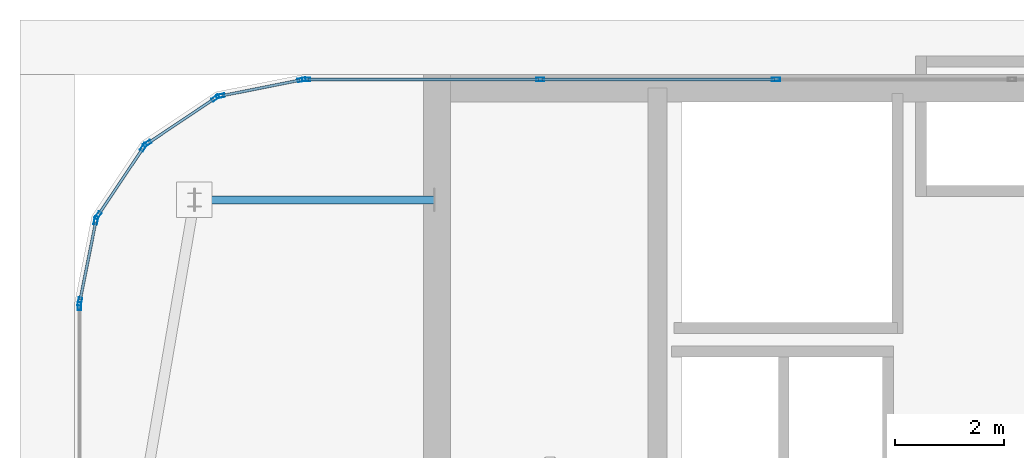
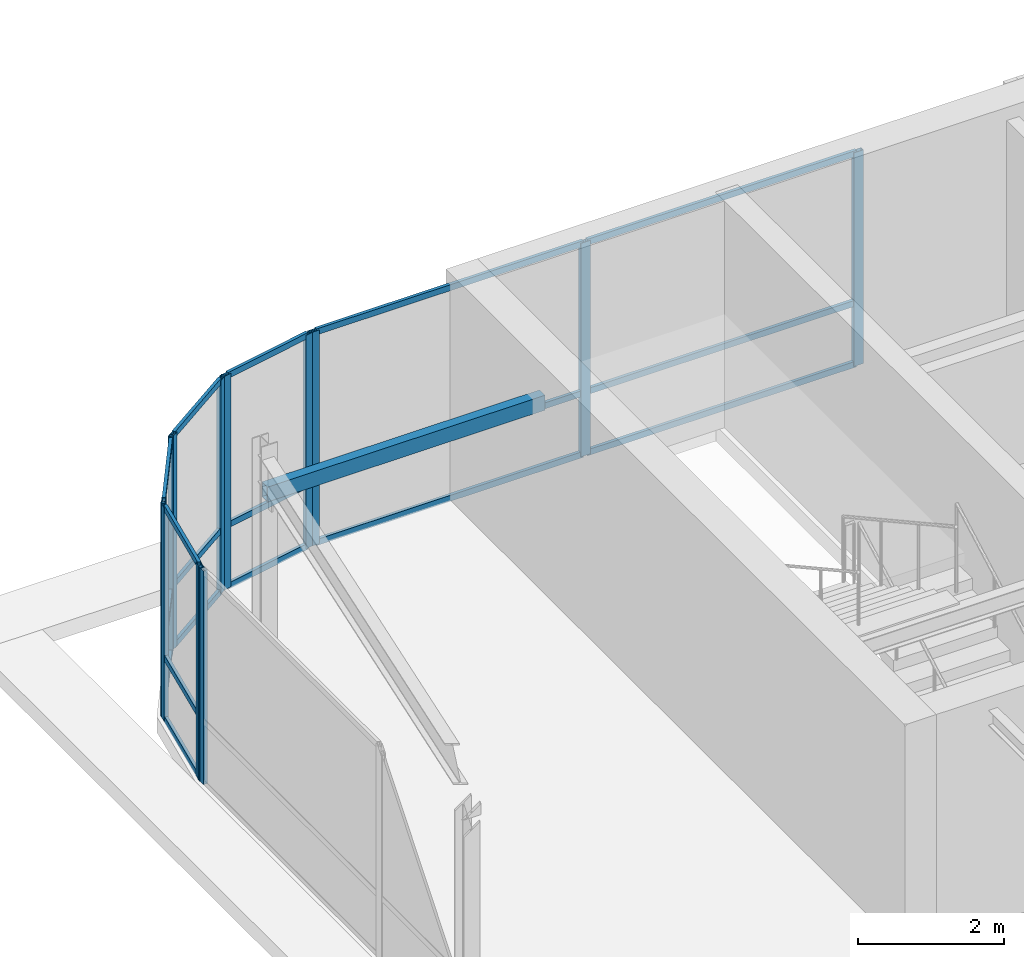
# One storey, part 24 of 35: 31 members, 6 elements without a shape of their own.
"""IFC4 building model written with IfcOpenShell, lengths in metres."""

from ifc_helpers import new_model, si_unit, direction, frame, origin, origin_2d, place, context, subcontext, project, spatial, hollow_rectangle, extrude, source, transform, mapped, material, layer, layer_set, material_profile, profile_set, type_object, type_shapes, element, aggregate, save


model = new_model("IFC4")

# Units and contexts
model_context = context("Model", 3, precision=1e-05, world=origin(), true_north=direction((0.0, 1.0)))
body_context = subcontext(model_context, "Body", "Model", "MODEL_VIEW")
ifc_project = project(units=[si_unit("LENGTHUNIT", "METRE"), si_unit("AREAUNIT", "SQUARE_METRE"), si_unit("VOLUMEUNIT", "CUBIC_METRE"), si_unit("PLANEANGLEUNIT", "RADIAN"), si_unit("MASSUNIT", "GRAM", prefix="KILO")], contexts=[model_context])

# Site, building, storey
site_placement = place(None, origin())
site = spatial("IfcSite", under=ifc_project, at=site_placement, CompositionType="ELEMENT")
building_placement = place(site_placement, origin())
building = spatial("IfcBuilding", under=site, at=building_placement, Name="Tolvann Quenvar Hotel", CompositionType="ELEMENT")
storey_placement = place(building_placement, frame((0.0, 0.0, 290.949951171875)))
storey = spatial("IfcBuildingStorey", under=building, at=storey_placement, Name="L77", CompositionType="ELEMENT", Elevation=290.949951171875)

# Member
ifc_material_1 = material(Name="Steel Grade 450 (C450L0)", Category="steel")
ifc_material_profile_1 = material_profile(ifc_material_1, hollow_rectangle(XDim=0.14990234375, YDim=0.25, WallThickness=0.009033203125, at=origin_2d()), Name="250x150x9RHS")
ifc_profile_set_1 = profile_set([ifc_material_profile_1], Name="Steel Grade 450 (C450L0)")
member_type_1 = type_object("IfcMemberType", Name="MEM_CROWN_250RHS", PredefinedType="USERDEFINED", material=ifc_profile_set_1)
shared_shape_1 = source(origin(), body_context, "Body", "SweptSolid", [
    extrude(hollow_rectangle(XDim=0.14990234375, YDim=0.25, WallThickness=0.009033203125, at=origin_2d()), origin(), (0.0, 0.0, 1.0), 4.39990234375),
])
type_shapes(member_type_1, [shared_shape_1])
member_1_placement = place(storey_placement, frame((5.800048828125, 41.89990234375, 2.929931640625), z_axis=(1.0, 0.0, 0.0), x_axis=(0.0, 1.0, 0.0)))
element("IfcMember", 1, at=member_1_placement, inside=storey, type_object=member_type_1, Name="Crown Frame Ring Member (L77-4)", ObjectType="CROWN FRAME", PredefinedType="USERDEFINED", context=body_context, shape_type="MappedRepresentation", body=[
    mapped(shared_shape_1, transform((0.0, 0.0, 0.0), x_axis=(1.0, 0.0, 0.0), y_axis=(0.0, 1.0, 0.0), z_axis=(0.0, 0.0, 1.0), scale=1.0)),
])

# Curtain wall, members
ifc_material_2 = material(Name="Thermally broken anodised architectural aluminium 6063-T6 and laminated low-E glass", Category="aluminium")
ifc_layer = layer(ifc_material_2, 0.179931640625)
ifc_layer_set = layer_set([ifc_layer], Name="Thermally broken anodised architectural aluminium 6063-T6 and laminated low-E glass")
curtain_wall_type = type_object("IfcCurtainWallType", Name="CW_SYS_LANT_06", PredefinedType="USERDEFINED", material=ifc_layer_set)
curtain_wall_1_placement = place(storey_placement, origin())
curtain_wall_1 = element("IfcCurtainWall", 2, at=curtain_wall_1_placement, inside=storey, type_object=curtain_wall_type, Name="Curtain Wall CW-LANT-06 (CWR-L77-E14)", ObjectType="UNITISED CURTAIN WALL", PredefinedType="USERDEFINED")
ifc_material_3 = material(Name="Anodised architectural aluminium 6063-T6 framing", Category="aluminium")
ifc_material_profile_2 = material_profile(ifc_material_3, hollow_rectangle(XDim=0.06494140625, YDim=0.14990234375, WallThickness=0.00390625, at=origin_2d()), Name="150x65x4RHS")
ifc_profile_set_2 = profile_set([ifc_material_profile_2], Name="Anodised architectural aluminium 6063-T6 framing")
member_type_2 = type_object("IfcMemberType", Name="CW_MULL_150x65", PredefinedType="MULLION", material=ifc_profile_set_2)
shared_shape_2 = source(origin(), body_context, "Body", "SweptSolid", [
    extrude(hollow_rectangle(XDim=0.06494140625, YDim=0.14990234375, WallThickness=0.00390625, at=origin_2d()), origin(), (0.0, 0.0, 1.0), 3.580078125),
])
type_shapes(member_type_2, [shared_shape_2])
member_2_placement = place(storey_placement, frame((16.472412109375, 44.110107421875, 0.0), z_axis=(0.0, 0.0, 1.0), x_axis=(0.0, -1.0, 0.0)))
member_2 = element("IfcMember", 3, at=member_2_placement, type_object=member_type_2, Name="CW-LANT-06 mullion 5", PredefinedType="MULLION", context=body_context, shape_type="MappedRepresentation", body=[
    mapped(shared_shape_2, transform((0.0, 0.0, 0.0), x_axis=(1.0, 0.0, 0.0), y_axis=(0.0, 1.0, 0.0), z_axis=(0.0, 0.0, 1.0), scale=1.0)),
])
member_3_placement = place(storey_placement, frame((12.144775390625, 44.110107421875, 0.0), z_axis=(0.0, 0.0, 1.0), x_axis=(0.0, -1.0, 0.0)))
member_3 = element("IfcMember", 4, at=member_3_placement, type_object=member_type_2, Name="CW-LANT-06 mullion 6", PredefinedType="MULLION", context=body_context, shape_type="MappedRepresentation", body=[
    mapped(shared_shape_2, transform((0.0, 0.0, 0.0), x_axis=(1.0, 0.0, 0.0), y_axis=(0.0, 1.0, 0.0), z_axis=(0.0, 0.0, 1.0), scale=1.0)),
])
member_4_placement = place(storey_placement, frame((7.849609375, 44.110107421875, 0.0), z_axis=(0.0, 0.0, 1.0), x_axis=(0.0, -1.0, 0.0)))
member_4 = element("IfcMember", 5, at=member_4_placement, type_object=member_type_2, Name="CW-LANT-06 mullion 7", PredefinedType="MULLION", context=body_context, shape_type="MappedRepresentation", body=[
    mapped(shared_shape_2, transform((0.0, 0.0, 0.0), x_axis=(1.0, 0.0, 0.0), y_axis=(0.0, 1.0, 0.0), z_axis=(0.0, 0.0, 1.0), scale=1.0)),
])

curtain_wall_2_placement = place(storey_placement, origin())
curtain_wall_2 = element("IfcCurtainWall", 6, at=curtain_wall_2_placement, inside=storey, type_object=curtain_wall_type, Name="Curtain Wall CW-LANT-06 (CWR-L77-E15)", ObjectType="UNITISED CURTAIN WALL", PredefinedType="USERDEFINED")
member_5_placement = place(storey_placement, frame((7.768798828125, 44.10205078125, 0.0), z_axis=(0.0, 0.0, 1.0), x_axis=(0.195061569369, -0.980790999222, 0.0)))
member_5 = element("IfcMember", 7, at=member_5_placement, type_object=member_type_2, Name="CW-LANT-06 mullion 1", PredefinedType="MULLION", context=body_context, shape_type="MappedRepresentation", body=[
    mapped(shared_shape_2, transform((0.0, 0.0, 0.0), x_axis=(1.0, 0.0, 0.0), y_axis=(0.0, 1.0, 0.0), z_axis=(0.0, 0.0, 1.0), scale=1.0)),
])
member_6_placement = place(storey_placement, frame((6.2763671875, 43.80517578125, 0.0), z_axis=(0.0, 0.0, 1.0), x_axis=(0.195061569369, -0.980790999222, 0.0)))
member_6 = element("IfcMember", 8, at=member_6_placement, type_object=member_type_2, Name="CW-LANT-06 mullion 2", PredefinedType="MULLION", context=body_context, shape_type="MappedRepresentation", body=[
    mapped(shared_shape_2, transform((0.0, 0.0, 0.0), x_axis=(1.0, 0.0, 0.0), y_axis=(0.0, 1.0, 0.0), z_axis=(0.0, 0.0, 1.0), scale=1.0)),
])

curtain_wall_3_placement = place(storey_placement, origin())
curtain_wall_3 = element("IfcCurtainWall", 9, at=curtain_wall_3_placement, inside=storey, type_object=curtain_wall_type, Name="Curtain Wall CW-LANT-06 (CWR-L77-E16)", ObjectType="UNITISED CURTAIN WALL", PredefinedType="USERDEFINED")
member_7_placement = place(storey_placement, frame((6.186767578125, 43.76806640625, 0.0), z_axis=(0.0, 0.0, 1.0), x_axis=(0.555655769644, -0.831412452193, 0.0)))
member_7 = element("IfcMember", 10, at=member_7_placement, type_object=member_type_2, Name="CW-LANT-06 mullion 1", PredefinedType="MULLION", context=body_context, shape_type="MappedRepresentation", body=[
    mapped(shared_shape_2, transform((0.0, 0.0, 0.0), x_axis=(1.0, 0.0, 0.0), y_axis=(0.0, 1.0, 0.0), z_axis=(0.0, 0.0, 1.0), scale=1.0)),
])
member_8_placement = place(storey_placement, frame((4.936279296875, 42.932373046875, 0.0), z_axis=(0.0, 0.0, 1.0), x_axis=(0.555655769644, -0.831412452193, 0.0)))
member_8 = element("IfcMember", 11, at=member_8_placement, type_object=member_type_2, Name="CW-LANT-06 mullion 2", PredefinedType="MULLION", context=body_context, shape_type="MappedRepresentation", body=[
    mapped(shared_shape_2, transform((0.0, 0.0, 0.0), x_axis=(1.0, 0.0, 0.0), y_axis=(0.0, 1.0, 0.0), z_axis=(0.0, 0.0, 1.0), scale=1.0)),
])

curtain_wall_4_placement = place(storey_placement, origin())
curtain_wall_4 = element("IfcCurtainWall", 12, at=curtain_wall_4_placement, inside=storey, type_object=curtain_wall_type, Name="Curtain Wall CW-LANT-06 (CWR-L77-E17)", ObjectType="UNITISED CURTAIN WALL", PredefinedType="USERDEFINED")
member_9_placement = place(storey_placement, frame((4.86767578125, 42.86376953125, 0.0), z_axis=(0.0, 0.0, 1.0), x_axis=(0.831412452193, -0.555655769644, 0.0)))
member_9 = element("IfcMember", 13, at=member_9_placement, type_object=member_type_2, Name="CW-LANT-06 mullion 1", PredefinedType="MULLION", context=body_context, shape_type="MappedRepresentation", body=[
    mapped(shared_shape_2, transform((0.0, 0.0, 0.0), x_axis=(1.0, 0.0, 0.0), y_axis=(0.0, 1.0, 0.0), z_axis=(0.0, 0.0, 1.0), scale=1.0)),
])
member_10_placement = place(storey_placement, frame((4.03173828125, 41.61328125, 0.0), z_axis=(0.0, 0.0, 1.0), x_axis=(0.831412452193, -0.555655769644, 0.0)))
member_10 = element("IfcMember", 14, at=member_10_placement, type_object=member_type_2, Name="CW-LANT-06 mullion 2", PredefinedType="MULLION", context=body_context, shape_type="MappedRepresentation", body=[
    mapped(shared_shape_2, transform((0.0, 0.0, 0.0), x_axis=(1.0, 0.0, 0.0), y_axis=(0.0, 1.0, 0.0), z_axis=(0.0, 0.0, 1.0), scale=1.0)),
])

curtain_wall_5_placement = place(storey_placement, origin())
curtain_wall_5 = element("IfcCurtainWall", 15, at=curtain_wall_5_placement, inside=storey, type_object=curtain_wall_type, Name="Curtain Wall CW-LANT-06 (CWR-L77-E18)", ObjectType="UNITISED CURTAIN WALL", PredefinedType="USERDEFINED")
member_11_placement = place(storey_placement, frame((3.994873046875, 41.523681640625, 0.0), z_axis=(0.0, 0.0, 1.0), x_axis=(0.980790999222, -0.195061569369, 0.0)))
member_11 = element("IfcMember", 16, at=member_11_placement, type_object=member_type_2, Name="CW-LANT-06 mullion 1", PredefinedType="MULLION", context=body_context, shape_type="MappedRepresentation", body=[
    mapped(shared_shape_2, transform((0.0, 0.0, 0.0), x_axis=(1.0, 0.0, 0.0), y_axis=(0.0, 1.0, 0.0), z_axis=(0.0, 0.0, 1.0), scale=1.0)),
])
member_12_placement = place(storey_placement, frame((3.697998046875, 40.03125, 0.0), z_axis=(0.0, 0.0, 1.0), x_axis=(0.980790999222, -0.195061569369, 0.0)))
member_12 = element("IfcMember", 17, at=member_12_placement, type_object=member_type_2, Name="CW-LANT-06 mullion 2", PredefinedType="MULLION", context=body_context, shape_type="MappedRepresentation", body=[
    mapped(shared_shape_2, transform((0.0, 0.0, 0.0), x_axis=(1.0, 0.0, 0.0), y_axis=(0.0, 1.0, 0.0), z_axis=(0.0, 0.0, 1.0), scale=1.0)),
])

# Curtain wall, member
curtain_wall_6_placement = place(storey_placement, origin())
curtain_wall_6 = element("IfcCurtainWall", 18, at=curtain_wall_6_placement, inside=storey, type_object=curtain_wall_type, Name="Curtain Wall CW-LANT-06 (CWR-L77-E19)", ObjectType="UNITISED CURTAIN WALL", PredefinedType="USERDEFINED")
member_13_placement = place(storey_placement, frame((3.68994140625, 39.9501953125, 0.0), z_axis=(0.0, 0.0, 1.0), x_axis=(1.0, 0.0, 0.0)))
member_13 = element("IfcMember", 19, at=member_13_placement, type_object=member_type_2, Name="CW-LANT-06 mullion 1", PredefinedType="MULLION", context=body_context, shape_type="MappedRepresentation", body=[
    mapped(shared_shape_2, transform((0.0, 0.0, 0.0), x_axis=(1.0, 0.0, 0.0), y_axis=(0.0, 1.0, 0.0), z_axis=(0.0, 0.0, 1.0), scale=1.0)),
])
aggregate(curtain_wall_6, [member_13])

# Member
ifc_material_profile_3 = material_profile(ifc_material_3, hollow_rectangle(XDim=0.050048828125, YDim=0.10009765625, WallThickness=0.0029296875, at=origin_2d()), Name="100x50x3RHS")
ifc_profile_set_3 = profile_set([ifc_material_profile_3], Name="Anodised architectural aluminium 6063-T6 framing")
member_type_3 = type_object("IfcMemberType", Name="CW_TRAN_100x50", PredefinedType="USERDEFINED", material=ifc_profile_set_3)
shared_shape_3 = source(origin(), body_context, "Body", "SweptSolid", [
    extrude(hollow_rectangle(XDim=0.050048828125, YDim=0.10009765625, WallThickness=0.0029296875, at=origin_2d()), origin(), (0.0, 0.0, 1.0), 1.439208984375),
])
member_14_placement = place(storey_placement, frame((6.15966796875, 43.75, 0.025146484375), z_axis=(-0.831449510818, -0.555600315839, 0.0), x_axis=(0.555600315839, -0.831449510818, 0.0)))
member_14 = element("IfcMember", 20, at=member_14_placement, type_object=member_type_3, Name="CW-LANT-06 transom 1.1", ObjectType="TRANSOM", PredefinedType="USERDEFINED", context=body_context, shape_type="MappedRepresentation", body=[
    mapped(shared_shape_3, transform((0.0, 0.0, 0.0), x_axis=(1.0, 0.0, 0.0), y_axis=(0.0, 1.0, 0.0), z_axis=(0.0, 0.0, 1.0), scale=1.0)),
])

member_15_placement = place(storey_placement, frame((6.15966796875, 43.75, 1.050048828125), z_axis=(-0.831449510818, -0.555600315839, 0.0), x_axis=(0.555600315839, -0.831449510818, 0.0)))
member_15 = element("IfcMember", 21, at=member_15_placement, type_object=member_type_3, Name="CW-LANT-06 transom 1.2", ObjectType="TRANSOM", PredefinedType="USERDEFINED", context=body_context, shape_type="MappedRepresentation", body=[
    mapped(shared_shape_3, transform((0.0, 0.0, 0.0), x_axis=(1.0, 0.0, 0.0), y_axis=(0.0, 1.0, 0.0), z_axis=(0.0, 0.0, 1.0), scale=1.0)),
])

member_16_placement = place(storey_placement, frame((6.15966796875, 43.75, 3.554931640625), z_axis=(-0.831449510818, -0.555600315839, 0.0), x_axis=(0.555600315839, -0.831449510818, 0.0)))
member_16 = element("IfcMember", 22, at=member_16_placement, type_object=member_type_3, Name="CW-LANT-06 transom 1.3", ObjectType="TRANSOM", PredefinedType="USERDEFINED", context=body_context, shape_type="MappedRepresentation", body=[
    mapped(shared_shape_3, transform((0.0, 0.0, 0.0), x_axis=(1.0, 0.0, 0.0), y_axis=(0.0, 1.0, 0.0), z_axis=(0.0, 0.0, 1.0), scale=1.0)),
])

aggregate(curtain_wall_3, [member_7, member_8, member_14, member_15, member_16])

member_17_placement = place(storey_placement, frame((4.849609375, 42.836669921875, 0.025146484375), z_axis=(-0.555717578985, -0.831371139989, 0.0), x_axis=(0.831371139989, -0.555717578985, 0.0)))
member_17 = element("IfcMember", 23, at=member_17_placement, type_object=member_type_3, Name="CW-LANT-06 transom 1.1", ObjectType="TRANSOM", PredefinedType="USERDEFINED", context=body_context, shape_type="MappedRepresentation", body=[
    mapped(shared_shape_3, transform((0.0, 0.0, 0.0), x_axis=(1.0, 0.0, 0.0), y_axis=(0.0, 1.0, 0.0), z_axis=(0.0, 0.0, 1.0), scale=1.0)),
])

member_18_placement = place(storey_placement, frame((4.849609375, 42.836669921875, 1.050048828125), z_axis=(-0.555717578985, -0.831371139989, 0.0), x_axis=(0.831371139989, -0.555717578985, 0.0)))
member_18 = element("IfcMember", 24, at=member_18_placement, type_object=member_type_3, Name="CW-LANT-06 transom 1.2", ObjectType="TRANSOM", PredefinedType="USERDEFINED", context=body_context, shape_type="MappedRepresentation", body=[
    mapped(shared_shape_3, transform((0.0, 0.0, 0.0), x_axis=(1.0, 0.0, 0.0), y_axis=(0.0, 1.0, 0.0), z_axis=(0.0, 0.0, 1.0), scale=1.0)),
])

member_19_placement = place(storey_placement, frame((4.849609375, 42.836669921875, 3.554931640625), z_axis=(-0.555717578985, -0.831371139989, 0.0), x_axis=(0.831371139989, -0.555717578985, 0.0)))
member_19 = element("IfcMember", 25, at=member_19_placement, type_object=member_type_3, Name="CW-LANT-06 transom 1.3", ObjectType="TRANSOM", PredefinedType="USERDEFINED", context=body_context, shape_type="MappedRepresentation", body=[
    mapped(shared_shape_3, transform((0.0, 0.0, 0.0), x_axis=(1.0, 0.0, 0.0), y_axis=(0.0, 1.0, 0.0), z_axis=(0.0, 0.0, 1.0), scale=1.0)),
])

aggregate(curtain_wall_4, [member_9, member_10, member_17, member_18, member_19])

shared_shape_4 = source(origin(), body_context, "Body", "SweptSolid", [
    extrude(hollow_rectangle(XDim=0.050048828125, YDim=0.10009765625, WallThickness=0.0029296875, at=origin_2d()), origin(), (0.0, 0.0, 1.0), 1.456787109375),
])
member_20_placement = place(storey_placement, frame((7.73681640625, 44.095703125, 0.025146484375), z_axis=(-0.980786408364, -0.195084651288, 0.0), x_axis=(0.195084651288, -0.980786408364, 0.0)))
member_20 = element("IfcMember", 26, at=member_20_placement, type_object=member_type_3, Name="CW-LANT-06 transom 1.1", ObjectType="TRANSOM", PredefinedType="USERDEFINED", context=body_context, shape_type="MappedRepresentation", body=[
    mapped(shared_shape_4, transform((0.0, 0.0, 0.0), x_axis=(1.0, 0.0, 0.0), y_axis=(0.0, 1.0, 0.0), z_axis=(0.0, 0.0, 1.0), scale=1.0)),
])

member_21_placement = place(storey_placement, frame((7.73681640625, 44.095703125, 1.050048828125), z_axis=(-0.980786408364, -0.195084651288, 0.0), x_axis=(0.195084651288, -0.980786408364, 0.0)))
member_21 = element("IfcMember", 27, at=member_21_placement, type_object=member_type_3, Name="CW-LANT-06 transom 1.2", ObjectType="TRANSOM", PredefinedType="USERDEFINED", context=body_context, shape_type="MappedRepresentation", body=[
    mapped(shared_shape_4, transform((0.0, 0.0, 0.0), x_axis=(1.0, 0.0, 0.0), y_axis=(0.0, 1.0, 0.0), z_axis=(0.0, 0.0, 1.0), scale=1.0)),
])

member_22_placement = place(storey_placement, frame((7.73681640625, 44.095703125, 3.554931640625), z_axis=(-0.980786408364, -0.195084651288, 0.0), x_axis=(0.195084651288, -0.980786408364, 0.0)))
member_22 = element("IfcMember", 28, at=member_22_placement, type_object=member_type_3, Name="CW-LANT-06 transom 1.3", ObjectType="TRANSOM", PredefinedType="USERDEFINED", context=body_context, shape_type="MappedRepresentation", body=[
    mapped(shared_shape_4, transform((0.0, 0.0, 0.0), x_axis=(1.0, 0.0, 0.0), y_axis=(0.0, 1.0, 0.0), z_axis=(0.0, 0.0, 1.0), scale=1.0)),
])

aggregate(curtain_wall_2, [member_5, member_6, member_20, member_21, member_22])

member_23_placement = place(storey_placement, frame((3.988525390625, 41.491943359375, 0.025146484375), z_axis=(-0.195084651288, -0.980786408364, 0.0), x_axis=(0.980786408364, -0.195084651288, 0.0)))
member_23 = element("IfcMember", 29, at=member_23_placement, type_object=member_type_3, Name="CW-LANT-06 transom 1.1", ObjectType="TRANSOM", PredefinedType="USERDEFINED", context=body_context, shape_type="MappedRepresentation", body=[
    mapped(shared_shape_4, transform((0.0, 0.0, 0.0), x_axis=(1.0, 0.0, 0.0), y_axis=(0.0, 1.0, 0.0), z_axis=(0.0, 0.0, 1.0), scale=1.0)),
])

member_24_placement = place(storey_placement, frame((3.988525390625, 41.491943359375, 1.050048828125), z_axis=(-0.195084651288, -0.980786408364, 0.0), x_axis=(0.980786408364, -0.195084651288, 0.0)))
member_24 = element("IfcMember", 30, at=member_24_placement, type_object=member_type_3, Name="CW-LANT-06 transom 1.2", ObjectType="TRANSOM", PredefinedType="USERDEFINED", context=body_context, shape_type="MappedRepresentation", body=[
    mapped(shared_shape_4, transform((0.0, 0.0, 0.0), x_axis=(1.0, 0.0, 0.0), y_axis=(0.0, 1.0, 0.0), z_axis=(0.0, 0.0, 1.0), scale=1.0)),
])

member_25_placement = place(storey_placement, frame((3.988525390625, 41.491943359375, 3.554931640625), z_axis=(-0.195084651288, -0.980786408364, 0.0), x_axis=(0.980786408364, -0.195084651288, 0.0)))
member_25 = element("IfcMember", 31, at=member_25_placement, type_object=member_type_3, Name="CW-LANT-06 transom 1.3", ObjectType="TRANSOM", PredefinedType="USERDEFINED", context=body_context, shape_type="MappedRepresentation", body=[
    mapped(shared_shape_4, transform((0.0, 0.0, 0.0), x_axis=(1.0, 0.0, 0.0), y_axis=(0.0, 1.0, 0.0), z_axis=(0.0, 0.0, 1.0), scale=1.0)),
])

aggregate(curtain_wall_5, [member_11, member_12, member_23, member_24, member_25])

shared_shape_5 = source(origin(), body_context, "Body", "SweptSolid", [
    extrude(hollow_rectangle(XDim=0.050048828125, YDim=0.10009765625, WallThickness=0.0029296875, at=origin_2d()), origin(), (0.0, 0.0, 1.0), 4.230224609375),
])
member_26_placement = place(storey_placement, frame((12.1123046875, 44.110107421875, 0.025146484375), z_axis=(-1.0, 0.0, 0.0), x_axis=(0.0, -1.0, 0.0)))
member_26 = element("IfcMember", 32, at=member_26_placement, type_object=member_type_3, Name="CW-LANT-06 transom 6.1", ObjectType="TRANSOM", PredefinedType="USERDEFINED", context=body_context, shape_type="MappedRepresentation", body=[
    mapped(shared_shape_5, transform((0.0, 0.0, 0.0), x_axis=(1.0, 0.0, 0.0), y_axis=(0.0, 1.0, 0.0), z_axis=(0.0, 0.0, 1.0), scale=1.0)),
])

member_27_placement = place(storey_placement, frame((12.1123046875, 44.110107421875, 1.050048828125), z_axis=(-1.0, 0.0, 0.0), x_axis=(0.0, -1.0, 0.0)))
member_27 = element("IfcMember", 33, at=member_27_placement, type_object=member_type_3, Name="CW-LANT-06 transom 6.2", ObjectType="TRANSOM", PredefinedType="USERDEFINED", context=body_context, shape_type="MappedRepresentation", body=[
    mapped(shared_shape_5, transform((0.0, 0.0, 0.0), x_axis=(1.0, 0.0, 0.0), y_axis=(0.0, 1.0, 0.0), z_axis=(0.0, 0.0, 1.0), scale=1.0)),
])

member_28_placement = place(storey_placement, frame((12.1123046875, 44.110107421875, 3.554931640625), z_axis=(-1.0, 0.0, 0.0), x_axis=(0.0, -1.0, 0.0)))
member_28 = element("IfcMember", 34, at=member_28_placement, type_object=member_type_3, Name="CW-LANT-06 transom 6.3", ObjectType="TRANSOM", PredefinedType="USERDEFINED", context=body_context, shape_type="MappedRepresentation", body=[
    mapped(shared_shape_5, transform((0.0, 0.0, 0.0), x_axis=(1.0, 0.0, 0.0), y_axis=(0.0, 1.0, 0.0), z_axis=(0.0, 0.0, 1.0), scale=1.0)),
])

shared_shape_6 = source(origin(), body_context, "Body", "SweptSolid", [
    extrude(hollow_rectangle(XDim=0.050048828125, YDim=0.10009765625, WallThickness=0.0029296875, at=origin_2d()), origin(), (0.0, 0.0, 1.0), 4.2626953125),
])
type_shapes(member_type_3, [shared_shape_3, shared_shape_4, shared_shape_5, shared_shape_6])
member_29_placement = place(storey_placement, frame((16.43994140625, 44.110107421875, 0.025146484375), z_axis=(-1.0, 0.0, 0.0), x_axis=(0.0, -1.0, 0.0)))
member_29 = element("IfcMember", 35, at=member_29_placement, type_object=member_type_3, Name="CW-LANT-06 transom 5.1", ObjectType="TRANSOM", PredefinedType="USERDEFINED", context=body_context, shape_type="MappedRepresentation", body=[
    mapped(shared_shape_6, transform((0.0, 0.0, 0.0), x_axis=(1.0, 0.0, 0.0), y_axis=(0.0, 1.0, 0.0), z_axis=(0.0, 0.0, 1.0), scale=1.0)),
])

member_30_placement = place(storey_placement, frame((16.43994140625, 44.110107421875, 1.050048828125), z_axis=(-1.0, 0.0, 0.0), x_axis=(0.0, -1.0, 0.0)))
member_30 = element("IfcMember", 36, at=member_30_placement, type_object=member_type_3, Name="CW-LANT-06 transom 5.2", ObjectType="TRANSOM", PredefinedType="USERDEFINED", context=body_context, shape_type="MappedRepresentation", body=[
    mapped(shared_shape_6, transform((0.0, 0.0, 0.0), x_axis=(1.0, 0.0, 0.0), y_axis=(0.0, 1.0, 0.0), z_axis=(0.0, 0.0, 1.0), scale=1.0)),
])

member_31_placement = place(storey_placement, frame((16.43994140625, 44.110107421875, 3.554931640625), z_axis=(-1.0, 0.0, 0.0), x_axis=(0.0, -1.0, 0.0)))
member_31 = element("IfcMember", 37, at=member_31_placement, type_object=member_type_3, Name="CW-LANT-06 transom 5.3", ObjectType="TRANSOM", PredefinedType="USERDEFINED", context=body_context, shape_type="MappedRepresentation", body=[
    mapped(shared_shape_6, transform((0.0, 0.0, 0.0), x_axis=(1.0, 0.0, 0.0), y_axis=(0.0, 1.0, 0.0), z_axis=(0.0, 0.0, 1.0), scale=1.0)),
])

aggregate(curtain_wall_1, [member_2, member_3, member_4, member_29, member_30, member_31, member_26, member_27, member_28])

save(model, "model.ifc")
